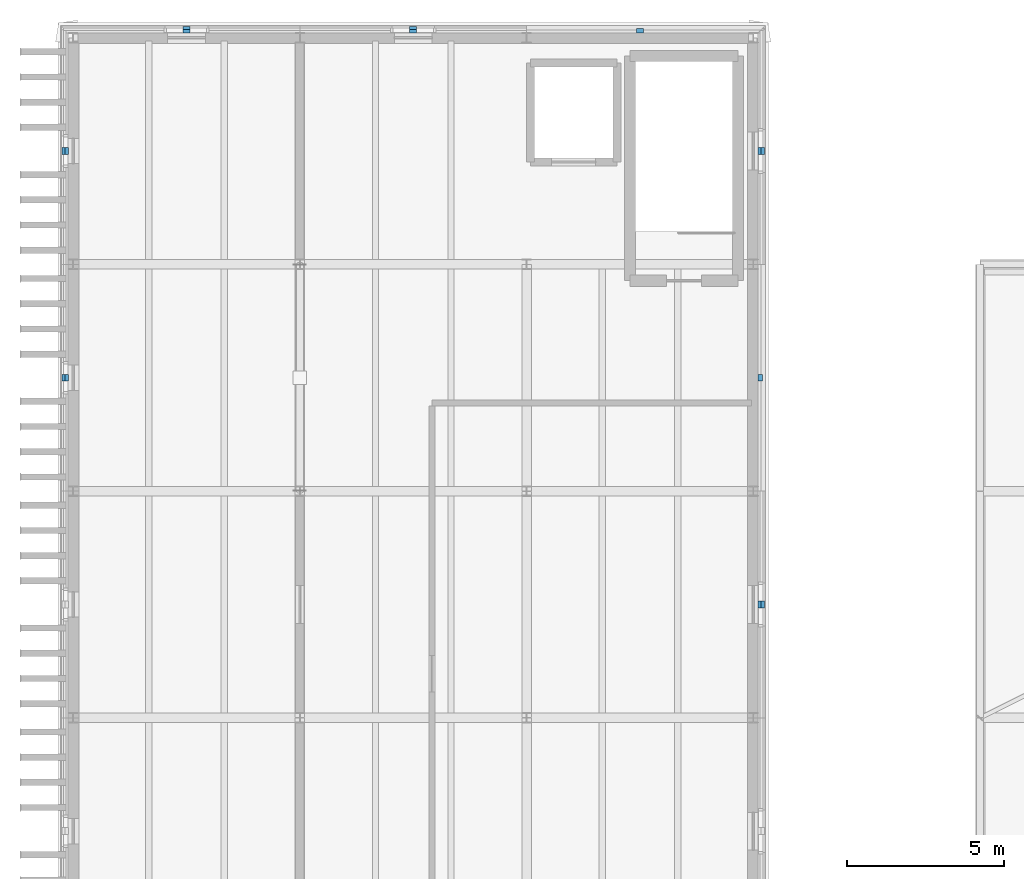
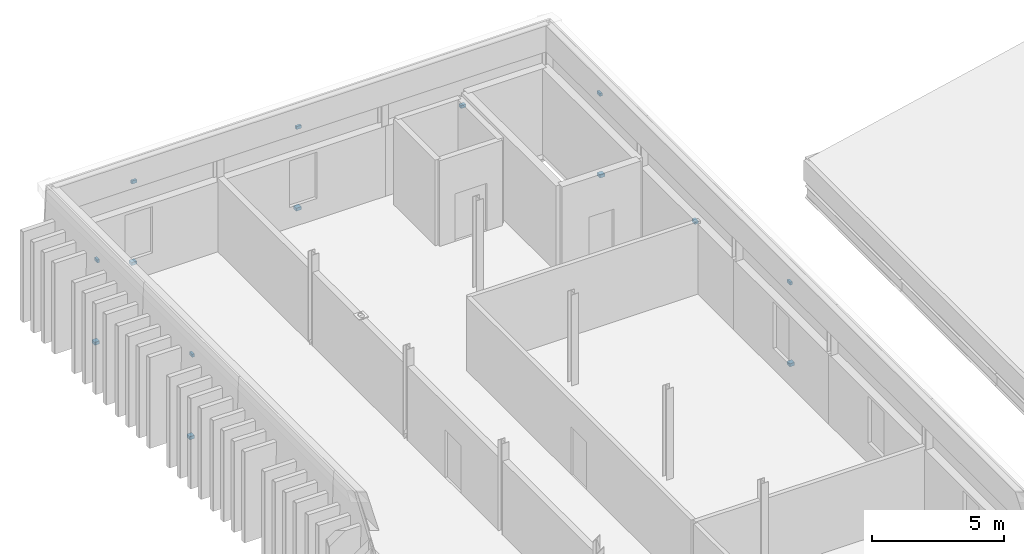
# One storey, part 36 of 44: 14 discrete accessories.
"""IFC4 building model written with IfcOpenShell, lengths in metres."""

from ifc_helpers import new_model, si_unit, direction, frame, origin, origin_2d, place, context, subcontext, project, spatial, rectangle, extrude, material, layer, layer_set, type_object, element, save


model = new_model("IFC4")

# Units and contexts
model_context = context("Model", 3, precision=1e-05, world=origin(), true_north=direction((0.0, 1.0)))
body_context = subcontext(model_context, "Body", "Model", "MODEL_VIEW")
ifc_project = project(units=[si_unit("LENGTHUNIT", "METRE"), si_unit("AREAUNIT", "SQUARE_METRE"), si_unit("VOLUMEUNIT", "CUBIC_METRE"), si_unit("PLANEANGLEUNIT", "RADIAN"), si_unit("MASSUNIT", "GRAM", prefix="KILO")], contexts=[model_context])

# Site, building, storey
site_placement = place(None, origin())
site = spatial("IfcSite", under=ifc_project, at=site_placement, CompositionType="ELEMENT")
building_placement = place(site_placement, origin())
building = spatial("IfcBuilding", under=site, at=building_placement, Name="Narikvali Park Central Library", CompositionType="ELEMENT")
storey_placement = place(building_placement, frame((0.0, 0.0, 22.800048828125)))
storey = spatial("IfcBuildingStorey", under=building, at=storey_placement, Name="L05", CompositionType="ELEMENT", Elevation=22.800048828125)

# Discrete accessories
ifc_material = material(Name="Brushed Stainless Steel S355", Category="steel")
ifc_layer = layer(ifc_material, 0.139892578125, Name="Brushed Stainless Steel S355")
ifc_layer_set = layer_set([ifc_layer], Name="Brushed Stainless Steel S355")
discrete_accessory_type = type_object("IfcDiscreteAccessoryType", Name="Cladding Stainless Tie-Back Corbel Bracket", PredefinedType="BRACKET", material=ifc_layer_set)
discrete_accessory_1_placement = place(storey_placement, frame((21.85498046875, 90.0, 0.40478515625), z_axis=(0.0, 0.0, 1.0), x_axis=(1.0, 0.0, 0.0)))
element("IfcDiscreteAccessory", 1, at=discrete_accessory_1_placement, inside=storey, type_object=discrete_accessory_type, Name="Limestone Cladding Tie-Back Bracket V5-CLD-L05-E-B07-SP", PredefinedType="BRACKET", context=body_context, shape_type="SweptSolid", body=[
    extrude(rectangle(XDim=0.209716796875, YDim=0.219970703125, at=origin_2d()), origin(), (0.0, 0.0, 1.0), 0.139892578125),
])
discrete_accessory_2_placement = place(storey_placement, frame((21.80126953125, 90.0, 4.18017578125), z_axis=(0.0, 0.0, 1.0), x_axis=(1.0, 0.0, 0.0)))
element("IfcDiscreteAccessory", 2, at=discrete_accessory_2_placement, inside=storey, type_object=discrete_accessory_type, Name="Limestone Cladding Tie-Back Bracket V5-CLD-L05-E-B07-LN", PredefinedType="BRACKET", context=body_context, shape_type="SweptSolid", body=[
    extrude(rectangle(XDim=0.1025390625, YDim=0.219970703125, at=origin_2d()), origin(), (0.0, 0.0, 1.0), 0.139892578125),
])
discrete_accessory_3_placement = place(storey_placement, frame((21.8232421875, 97.199951171875, 2.6298828125), z_axis=(0.0, 0.0, 1.0), x_axis=(1.0, 0.0, 0.0)))
element("IfcDiscreteAccessory", 3, at=discrete_accessory_3_placement, inside=storey, type_object=discrete_accessory_type, Name="Limestone Cladding Tie-Back Bracket V5-CLD-L05-E-B08-FULL", PredefinedType="BRACKET", context=body_context, shape_type="SweptSolid", body=[
    extrude(rectangle(XDim=0.146484375, YDim=0.219970703125, at=origin_2d()), origin(), (0.0, 0.0, 1.0), 0.139892578125),
])
discrete_accessory_4_placement = place(storey_placement, frame((21.85498046875, 104.39990234375, 0.40478515625), z_axis=(0.0, 0.0, 1.0), x_axis=(1.0, 0.0, 0.0)))
element("IfcDiscreteAccessory", 4, at=discrete_accessory_4_placement, inside=storey, type_object=discrete_accessory_type, Name="Limestone Cladding Tie-Back Bracket V5-CLD-L05-E-B09-SP", PredefinedType="BRACKET", context=body_context, shape_type="SweptSolid", body=[
    extrude(rectangle(XDim=0.209716796875, YDim=0.219970703125, at=origin_2d()), origin(), (0.0, 0.0, 1.0), 0.139892578125),
])
discrete_accessory_5_placement = place(storey_placement, frame((21.80126953125, 104.39990234375, 4.18017578125), z_axis=(0.0, 0.0, 1.0), x_axis=(1.0, 0.0, 0.0)))
element("IfcDiscreteAccessory", 5, at=discrete_accessory_5_placement, inside=storey, type_object=discrete_accessory_type, Name="Limestone Cladding Tie-Back Bracket V5-CLD-L05-E-B09-LN", PredefinedType="BRACKET", context=body_context, shape_type="SweptSolid", body=[
    extrude(rectangle(XDim=0.1025390625, YDim=0.219970703125, at=origin_2d()), origin(), (0.0, 0.0, 1.0), 0.139892578125),
])
discrete_accessory_6_placement = place(storey_placement, frame((18.0, 108.223388671875, 2.6298828125), z_axis=(0.0, 0.0, 1.0), x_axis=(1.0, 0.0, 0.0)))
element("IfcDiscreteAccessory", 6, at=discrete_accessory_6_placement, inside=storey, type_object=discrete_accessory_type, Name="Limestone Cladding Tie-Back Bracket V5-CLD-L05-N-B01-FULL", PredefinedType="BRACKET", context=body_context, shape_type="SweptSolid", body=[
    extrude(rectangle(XDim=0.219970703125, YDim=0.146484375, at=origin_2d()), origin(), (0.0, 0.0, 1.0), 0.139892578125),
])
discrete_accessory_7_placement = place(storey_placement, frame((10.800048828125, 108.2548828125, 0.40478515625), z_axis=(0.0, 0.0, 1.0), x_axis=(1.0, 0.0, 0.0)))
element("IfcDiscreteAccessory", 7, at=discrete_accessory_7_placement, inside=storey, type_object=discrete_accessory_type, Name="Limestone Cladding Tie-Back Bracket V5-CLD-L05-N-B02-SP", PredefinedType="BRACKET", context=body_context, shape_type="SweptSolid", body=[
    extrude(rectangle(XDim=0.219970703125, YDim=0.209716796875, at=origin_2d()), origin(), (0.0, 0.0, 1.0), 0.139892578125),
])
discrete_accessory_8_placement = place(storey_placement, frame((10.800048828125, 108.201416015625, 4.18017578125), z_axis=(0.0, 0.0, 1.0), x_axis=(1.0, 0.0, 0.0)))
element("IfcDiscreteAccessory", 8, at=discrete_accessory_8_placement, inside=storey, type_object=discrete_accessory_type, Name="Limestone Cladding Tie-Back Bracket V5-CLD-L05-N-B02-LN", PredefinedType="BRACKET", context=body_context, shape_type="SweptSolid", body=[
    extrude(rectangle(XDim=0.219970703125, YDim=0.1025390625, at=origin_2d()), origin(), (0.0, 0.0, 1.0), 0.139892578125),
])
discrete_accessory_9_placement = place(storey_placement, frame((3.60009765625, 108.2548828125, 0.40478515625), z_axis=(0.0, 0.0, 1.0), x_axis=(1.0, 0.0, 0.0)))
element("IfcDiscreteAccessory", 9, at=discrete_accessory_9_placement, inside=storey, type_object=discrete_accessory_type, Name="Limestone Cladding Tie-Back Bracket V5-CLD-L05-N-B03-SP", PredefinedType="BRACKET", context=body_context, shape_type="SweptSolid", body=[
    extrude(rectangle(XDim=0.219970703125, YDim=0.209716796875, at=origin_2d()), origin(), (0.0, 0.0, 1.0), 0.139892578125),
])
discrete_accessory_10_placement = place(storey_placement, frame((3.60009765625, 108.201416015625, 4.18017578125), z_axis=(0.0, 0.0, 1.0), x_axis=(1.0, 0.0, 0.0)))
element("IfcDiscreteAccessory", 10, at=discrete_accessory_10_placement, inside=storey, type_object=discrete_accessory_type, Name="Limestone Cladding Tie-Back Bracket V5-CLD-L05-N-B03-LN", PredefinedType="BRACKET", context=body_context, shape_type="SweptSolid", body=[
    extrude(rectangle(XDim=0.219970703125, YDim=0.1025390625, at=origin_2d()), origin(), (0.0, 0.0, 1.0), 0.139892578125),
])
discrete_accessory_11_placement = place(storey_placement, frame((-0.2548828125, 104.39990234375, 0.40478515625), z_axis=(0.0, 0.0, 1.0), x_axis=(1.0, 0.0, 0.0)))
element("IfcDiscreteAccessory", 11, at=discrete_accessory_11_placement, inside=storey, type_object=discrete_accessory_type, Name="Limestone Cladding Tie-Back Bracket V5-CLD-L05-W-B01-SP", PredefinedType="BRACKET", context=body_context, shape_type="SweptSolid", body=[
    extrude(rectangle(XDim=0.209716796875, YDim=0.219970703125, at=origin_2d()), origin(), (0.0, 0.0, 1.0), 0.139892578125),
])
discrete_accessory_12_placement = place(storey_placement, frame((-0.201416015625, 104.39990234375, 4.18017578125), z_axis=(0.0, 0.0, 1.0), x_axis=(1.0, 0.0, 0.0)))
element("IfcDiscreteAccessory", 12, at=discrete_accessory_12_placement, inside=storey, type_object=discrete_accessory_type, Name="Limestone Cladding Tie-Back Bracket V5-CLD-L05-W-B01-LN", PredefinedType="BRACKET", context=body_context, shape_type="SweptSolid", body=[
    extrude(rectangle(XDim=0.1025390625, YDim=0.219970703125, at=origin_2d()), origin(), (0.0, 0.0, 1.0), 0.139892578125),
])
discrete_accessory_13_placement = place(storey_placement, frame((-0.2548828125, 97.199951171875, 0.40478515625), z_axis=(0.0, 0.0, 1.0), x_axis=(1.0, 0.0, 0.0)))
element("IfcDiscreteAccessory", 13, at=discrete_accessory_13_placement, inside=storey, type_object=discrete_accessory_type, Name="Limestone Cladding Tie-Back Bracket V5-CLD-L05-W-B02-SP", PredefinedType="BRACKET", context=body_context, shape_type="SweptSolid", body=[
    extrude(rectangle(XDim=0.209716796875, YDim=0.219970703125, at=origin_2d()), origin(), (0.0, 0.0, 1.0), 0.139892578125),
])
discrete_accessory_14_placement = place(storey_placement, frame((-0.201416015625, 97.199951171875, 4.18017578125), z_axis=(0.0, 0.0, 1.0), x_axis=(1.0, 0.0, 0.0)))
element("IfcDiscreteAccessory", 14, at=discrete_accessory_14_placement, inside=storey, type_object=discrete_accessory_type, Name="Limestone Cladding Tie-Back Bracket V5-CLD-L05-W-B02-LN", PredefinedType="BRACKET", context=body_context, shape_type="SweptSolid", body=[
    extrude(rectangle(XDim=0.1025390625, YDim=0.219970703125, at=origin_2d()), origin(), (0.0, 0.0, 1.0), 0.139892578125),
])

save(model, "model.ifc")
